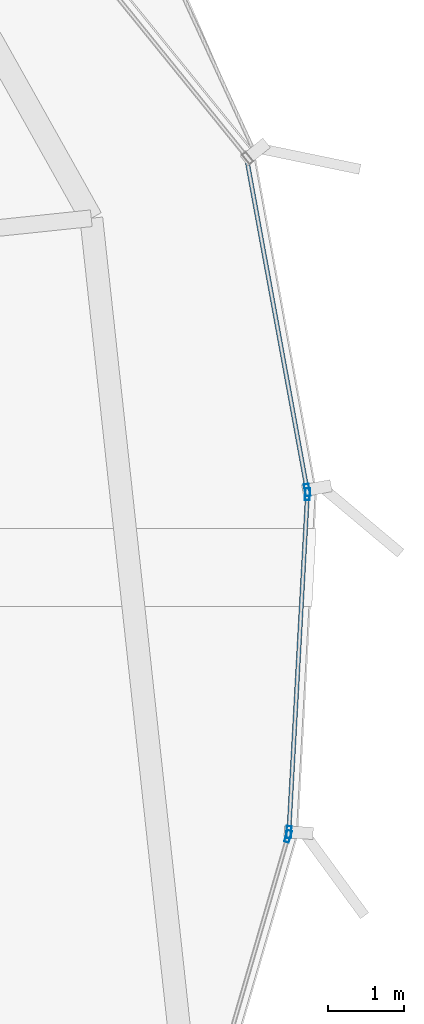
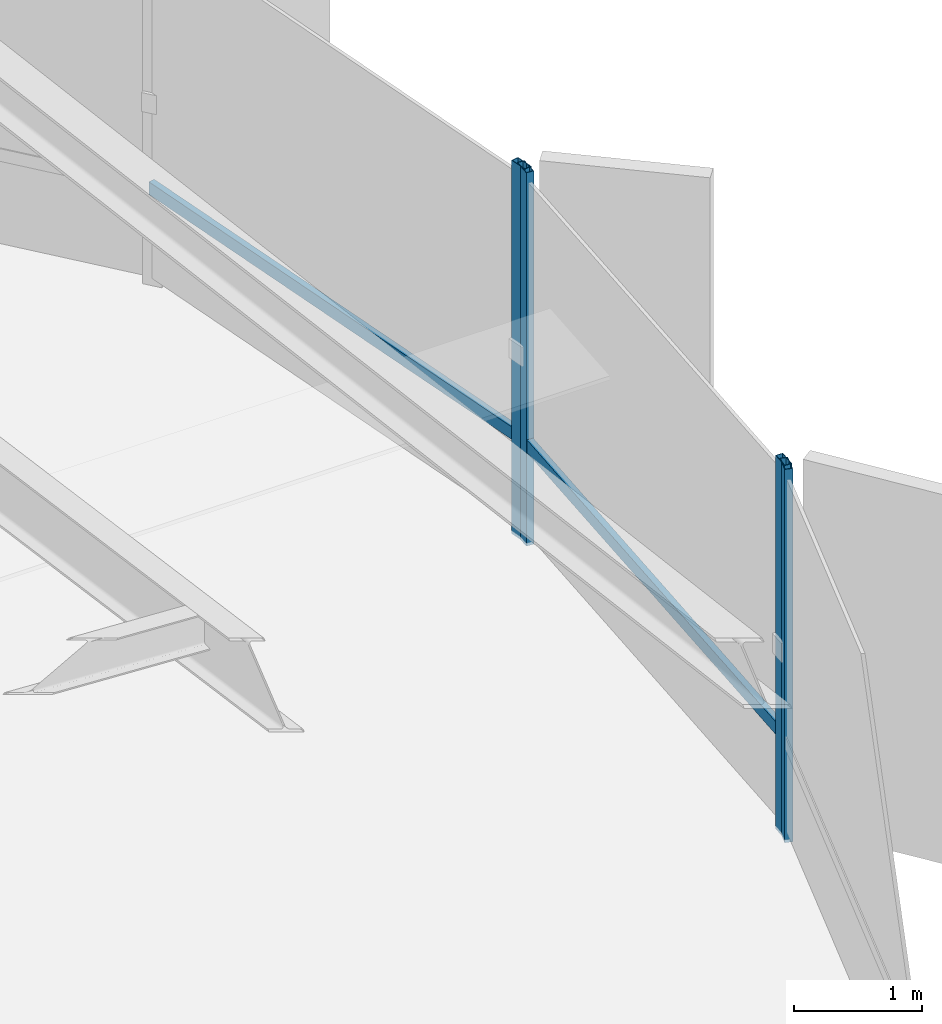
# One storey, part 30 of 39: 6 members, 3 elements without a shape of their own.
"""IFC4 building model written with IfcOpenShell, lengths in metres."""

from ifc_helpers import new_model, si_unit, direction, frame, origin, origin_2d, place, context, subcontext, project, spatial, hollow_rectangle, extrude, source, transform, mapped, material, layer, layer_set, material_profile, profile_set, type_object, element, aggregate, save


model = new_model("IFC4")

# Units and contexts
model_context = context("Model", 3, precision=1e-05, world=origin(), true_north=direction((0.0, 1.0)))
body_context = subcontext(model_context, "Body", "Model", "MODEL_VIEW")
ifc_project = project(units=[si_unit("LENGTHUNIT", "METRE"), si_unit("AREAUNIT", "SQUARE_METRE"), si_unit("VOLUMEUNIT", "CUBIC_METRE"), si_unit("PLANEANGLEUNIT", "RADIAN"), si_unit("MASSUNIT", "GRAM", prefix="KILO"), si_unit("THERMODYNAMICTEMPERATUREUNIT", "KELVIN")], contexts=[model_context])

# Site, building, storey
site_placement = place(None, origin())
site = spatial("IfcSite", under=ifc_project, at=site_placement, CompositionType="ELEMENT")
building_placement = place(site_placement, origin())
building = spatial("IfcBuilding", under=site, at=building_placement, Name="Kethvar Cultural Tower", CompositionType="ELEMENT")
storey_placement = place(building_placement, frame((0.0, 0.0, 44.800048828125)))
storey = spatial("IfcBuildingStorey", under=building, at=storey_placement, Name="L10", CompositionType="ELEMENT", Elevation=44.800048828125)

# Curtain wall, member
ifc_material = material(Name="Aluminium 6063-T6", Category="aluminium")
ifc_layer = layer(ifc_material, 0.179931640625, Name="Aluminium 6063-T6", Category="aluminium")
ifc_layer_set = layer_set([ifc_layer], Name="Aluminium 6063-T6 (180 mm)")
curtain_wall_type = type_object("IfcCurtainWallType", Name="CW-SYS-02-Z1", PredefinedType="NOTDEFINED", material=ifc_layer_set)
curtain_wall_1_placement = place(storey_placement, origin())
curtain_wall_1 = element("IfcCurtainWall", 1, at=curtain_wall_1_placement, inside=storey, type_object=curtain_wall_type, Name="L10 Curtain Wall Run 01", PredefinedType="NOTDEFINED")
ifc_material_profile_1 = material_profile(ifc_material, hollow_rectangle(XDim=0.06494140625, YDim=0.159912109375, WallThickness=0.0048828125, at=origin_2d()), Name="Aluminium 6063-T6 — RHS160x65x5")
ifc_profile_set_1 = profile_set([ifc_material_profile_1], Name="Aluminium 6063-T6 — RHS160x65x5")
member_type_1 = type_object("IfcMemberType", Name="CW-SYS-02-Z1-MUL", PredefinedType="MULLION", material=ifc_profile_set_1)
shared_shape_1 = source(origin(), body_context, "Body", "SweptSolid", [
    extrude(hollow_rectangle(XDim=0.06494140625, YDim=0.159912109375, WallThickness=0.0048828125, at=origin_2d()), origin(), (0.0, 0.0, 1.0), 3.550048828125),
])
member_1_placement = place(storey_placement, frame((79.682373046875, 29.896728515625, 0.0), z_axis=(0.0, 0.0, 1.0), x_axis=(-0.983725493128, -0.179677917869, 0.0)))
member_1 = element("IfcMember", 2, at=member_1_placement, type_object=member_type_1, Name="CW-L10-R01 Mullion 1", PredefinedType="MULLION", context=body_context, shape_type="MappedRepresentation", body=[
    mapped(shared_shape_1, transform((0.0, 0.0, 0.0), scale=1.0)),
])

curtain_wall_2_placement = place(storey_placement, origin())
curtain_wall_2 = element("IfcCurtainWall", 3, at=curtain_wall_2_placement, inside=storey, type_object=curtain_wall_type, Name="L10 Curtain Wall Run 06", PredefinedType="NOTDEFINED")
member_2_placement = place(storey_placement, frame((79.431396484375, 25.336181640625, 0.0), z_axis=(0.0, 0.0, 1.0), x_axis=(-0.960064504883, 0.279778745555, 0.0)))
member_2 = element("IfcMember", 4, at=member_2_placement, type_object=member_type_1, Name="CW-L10-R06 Mullion 7", PredefinedType="MULLION", context=body_context, shape_type="MappedRepresentation", body=[
    mapped(shared_shape_1, transform((0.0, 0.0, 0.0), scale=1.0)),
])
aggregate(curtain_wall_2, [member_2])

# Curtain wall, members
curtain_wall_3_placement = place(storey_placement, origin())
curtain_wall_3 = element("IfcCurtainWall", 5, at=curtain_wall_3_placement, inside=storey, type_object=curtain_wall_type, Name="L10 Curtain Wall Run 07", PredefinedType="NOTDEFINED")
member_3_placement = place(storey_placement, frame((79.44091796875, 25.39208984375, 0.0), z_axis=(0.0, 0.0, 1.0), x_axis=(-0.998488138237, 0.054967606826, 0.0)))
member_3 = element("IfcMember", 6, at=member_3_placement, type_object=member_type_1, Name="CW-L10-R07 Mullion 1", PredefinedType="MULLION", context=body_context, shape_type="MappedRepresentation", body=[
    mapped(shared_shape_1, transform((0.0, 0.0, 0.0), scale=1.0)),
])
member_4_placement = place(storey_placement, frame((79.685791015625, 29.841064453125, 0.0), z_axis=(0.0, 0.0, 1.0), x_axis=(-0.998488138237, 0.054967606826, 0.0)))
member_4 = element("IfcMember", 7, at=member_4_placement, type_object=member_type_1, Name="CW-L10-R07 Mullion 2", PredefinedType="MULLION", context=body_context, shape_type="MappedRepresentation", body=[
    mapped(shared_shape_1, transform((0.0, 0.0, 0.0), scale=1.0)),
])

# Member
ifc_material_profile_2 = material_profile(ifc_material, hollow_rectangle(XDim=0.054931640625, YDim=0.1201171875, WallThickness=0.00390625, at=origin_2d()), Name="Aluminium 6063-T6 — RHS120x55x4")
ifc_profile_set_2 = profile_set([ifc_material_profile_2], Name="Aluminium 6063-T6 — RHS120x55x4")
member_type_2 = type_object("IfcMemberType", Name="CW-SYS-02-Z1-TRN", PredefinedType="USERDEFINED", material=ifc_profile_set_2)
shared_shape_2 = source(origin(), body_context, "Body", "SweptSolid", [
    extrude(hollow_rectangle(XDim=0.054931640625, YDim=0.1201171875, WallThickness=0.00390625, at=origin_2d()), origin(), (0.0, 0.0, 1.0), 4.446533203125),
])
member_5_placement = place(storey_placement, frame((79.681396484375, 29.901123046875, 0.949951171875), z_axis=(-0.179648781865, 0.983730814387, 0.0), x_axis=(-0.983730814387, -0.179648781865, 0.0)))
member_5 = element("IfcMember", 8, at=member_5_placement, type_object=member_type_2, Name="CW-L10-R01 Transom 1", ObjectType="TRANSOM", PredefinedType="USERDEFINED", context=body_context, shape_type="MappedRepresentation", body=[
    mapped(shared_shape_2, transform((0.0, 0.0, 0.0), scale=1.0)),
])

aggregate(curtain_wall_1, [member_1, member_5])

shared_shape_3 = source(origin(), body_context, "Body", "SweptSolid", [
    extrude(hollow_rectangle(XDim=0.054931640625, YDim=0.1201171875, WallThickness=0.00390625, at=origin_2d()), origin(), (0.0, 0.0, 1.0), 4.447021484375),
])
member_6_placement = place(storey_placement, frame((79.441162109375, 25.396484375, 0.949951171875), z_axis=(0.054956136712, 0.99848876961, 0.0), x_axis=(-0.99848876961, 0.054956136712, 0.0)))
member_6 = element("IfcMember", 9, at=member_6_placement, type_object=member_type_2, Name="CW-L10-R07 Transom 1", ObjectType="TRANSOM", PredefinedType="USERDEFINED", context=body_context, shape_type="MappedRepresentation", body=[
    mapped(shared_shape_3, transform((0.0, 0.0, 0.0), scale=1.0)),
])

aggregate(curtain_wall_3, [member_3, member_4, member_6])

save(model, "model.ifc")
